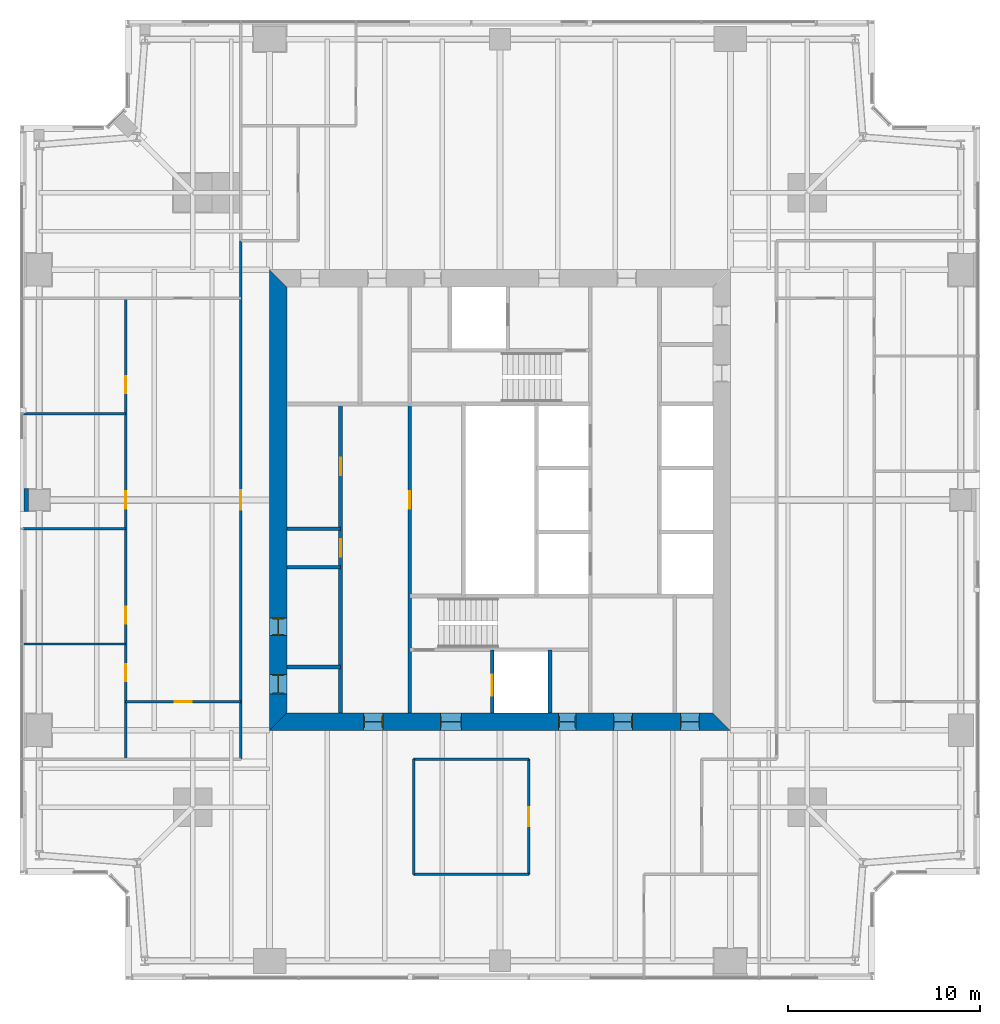
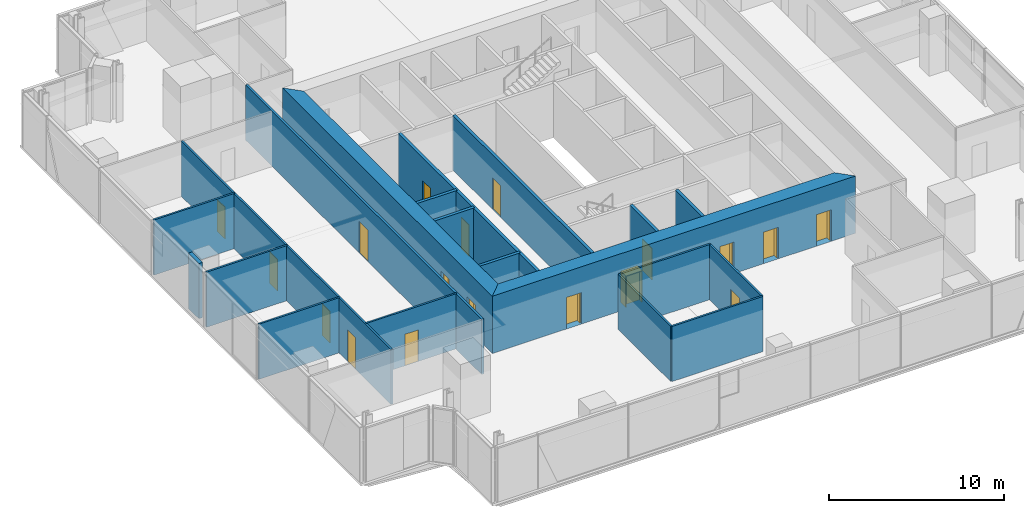
# One storey, part 9 of 16: 20 walls, 18 doors, 18 openings.
"""IFC4 building model written with IfcOpenShell, lengths in metres."""

from ifc_helpers import new_model, si_unit, direction, frame, frame_2d, origin, place, context, subcontext, project, spatial, polyline, rectangle, outline, extrude, material, layer, layer_set, type_object, element, fill, save


model = new_model("IFC4")

# Units and contexts
model_context = context("Model", 3, precision=1e-05, world=origin(), true_north=direction((0.0, 1.0)))
body_context = subcontext(model_context, "Body", "Model", "MODEL_VIEW")
ifc_project = project(units=[si_unit("LENGTHUNIT", "METRE"), si_unit("AREAUNIT", "SQUARE_METRE"), si_unit("VOLUMEUNIT", "CUBIC_METRE"), si_unit("PLANEANGLEUNIT", "RADIAN"), si_unit("MASSUNIT", "GRAM", prefix="KILO")], contexts=[model_context])

# Site, building, storey
site_placement = place(None, origin())
site = spatial("IfcSite", under=ifc_project, at=site_placement, CompositionType="ELEMENT")
building_placement = place(site_placement, origin())
building = spatial("IfcBuilding", under=site, at=building_placement, Name="Fenwick Lantern Interchange", CompositionType="ELEMENT")
storey_placement = place(building_placement, frame((0.0, 0.0, 213.800048828125)))
storey = spatial("IfcBuildingStorey", under=building, at=storey_placement, Name="L50", CompositionType="ELEMENT", Elevation=213.800048828125)

# Wall
ifc_material_1 = material(Name="Fire-rated gypsum board encasement on steel studs, 2 hour", Category="steel")
ifc_layer_1 = layer(ifc_material_1, 1.199951171875)
ifc_layer_set_1 = layer_set([ifc_layer_1], Name="COLUMN PIER 1200")
wall_type_1 = type_object("IfcWallType", Name="COLUMN PIER 1200", PredefinedType="PARTITIONING", material=ifc_layer_set_1)
wall_1_placement = place(storey_placement, frame((0.199951171875, 25.0, 0.0), z_axis=(0.0, 0.0, 1.0), x_axis=(1.0, 0.0, 0.0)))
element("IfcWall", 1, at=wall_1_placement, inside=storey, type_object=wall_type_1, Name="L50/W/PIER/CW3", PredefinedType="PARTITIONING", context=body_context, shape_type="SweptSolid", body=[
    extrude(rectangle(XDim=0.25, YDim=1.199951171875, at=frame_2d((0.125, 0.0))), origin(), (0.0, 0.0, 1.0), 3.849853515625),
])

# Wall, openings, doors
ifc_material_2 = material(Name="Concrete masonry ASTM C90 Grade N", Category="masonry")
ifc_layer_2 = layer(ifc_material_2, 0.199951171875)
ifc_layer_set_2 = layer_set([ifc_layer_2], Name="Concrete masonry ASTM C90 Grade N")
wall_type_2 = type_object("IfcWallType", Name="CORE PARTITION 200", PredefinedType="PARTITIONING", material=ifc_layer_set_2)
wall_2_placement = place(storey_placement, frame((16.699951171875, 13.89990234375, 0.0), z_axis=(0.0, 0.0, 1.0), x_axis=(0.0, 1.0, 0.0)))
wall_2 = element("IfcWall", 2, at=wall_2_placement, inside=storey, type_object=wall_type_2, Name="L50/W/CORES/a", PredefinedType="PARTITIONING", context=body_context, shape_type="SweptSolid", body=[
    extrude(rectangle(XDim=16.10009765625, YDim=0.199951171875, at=frame_2d((8.050048828125, 0.0))), origin(), (0.0, 0.0, 1.0), 3.800048828125),
])
opening_1_placement = place(wall_2_placement, frame((8.14990234375, 0.0, 0.0)))
opening_1 = element("IfcOpeningElement", 3, at=opening_1_placement, cuts=wall_2, Name="Opening L50-D009", PredefinedType="OPENING", context=body_context, shape_type="SweptSolid", body=[
    extrude(rectangle(XDim=0.89990234375, YDim=2.199951171875, at=frame_2d((0.449951171875, 1.10009765625))), frame((0.0, 0.10986328125, 0.0), z_axis=(0.0, -1.0, 0.0), x_axis=(1.0, 0.0, 0.0)), (0.0, 0.0, 1.0), 0.219970703125),
])
opening_2_placement = place(wall_2_placement, frame((12.39990234375, 0.0, 0.0)))
opening_2 = element("IfcOpeningElement", 4, at=opening_2_placement, cuts=wall_2, Name="Opening L50-D010", PredefinedType="OPENING", context=body_context, shape_type="SweptSolid", body=[
    extrude(rectangle(XDim=0.89990234375, YDim=2.199951171875, at=frame_2d((0.449951171875, 1.10009765625))), frame((0.0, 0.10986328125, 0.0), z_axis=(0.0, -1.0, 0.0), x_axis=(1.0, 0.0, 0.0)), (0.0, 0.0, 1.0), 0.219970703125),
])
ifc_material_3 = material(Name="Steel door and frame", Category="steel")
door_type_1 = type_object("IfcDoorType", Name="SERVICE DOOR 900 X 2200", OperationType="SINGLE_SWING_LEFT", PredefinedType="DOOR", material=ifc_material_3)
door_1_placement = place(opening_1_placement, origin())
door_1 = element("IfcDoor", 5, at=door_1_placement, inside=storey, type_object=door_type_1, Name="Service door", OperationType="SINGLE_SWING_LEFT", OverallHeight=2.199951171875, OverallWidth=0.89990234375, PredefinedType="DOOR", context=body_context, shape_type="SweptSolid", body=[
    extrude(rectangle(XDim=0.89990234375, YDim=2.199951171875, at=frame_2d((0.449951171875, 1.10009765625))), frame((0.0, 0.02490234375, 0.0), z_axis=(0.0, -1.0, 0.0), x_axis=(1.0, 0.0, 0.0)), (0.0, 0.0, 1.0), 0.050048828125),
])
fill(opening_1, door_1)
door_2_placement = place(opening_2_placement, origin())
door_2 = element("IfcDoor", 6, at=door_2_placement, inside=storey, type_object=door_type_1, Name="Service door", OperationType="SINGLE_SWING_LEFT", OverallHeight=2.199951171875, OverallWidth=0.89990234375, PredefinedType="DOOR", context=body_context, shape_type="SweptSolid", body=[
    extrude(rectangle(XDim=0.89990234375, YDim=2.199951171875, at=frame_2d((0.449951171875, 1.10009765625))), frame((0.0, 0.02490234375, 0.0), z_axis=(0.0, -1.0, 0.0), x_axis=(1.0, 0.0, 0.0)), (0.0, 0.0, 1.0), 0.050048828125),
])
fill(opening_2, door_2)

# Wall, opening, door
wall_3_placement = place(storey_placement, frame((24.60009765625, 13.89990234375, 0.0), z_axis=(0.0, 0.0, 1.0), x_axis=(0.0, 1.0, 0.0)))
wall_3 = element("IfcWall", 7, at=wall_3_placement, inside=storey, type_object=wall_type_2, Name="L50/W/CORES/h1", PredefinedType="PARTITIONING", context=body_context, shape_type="SweptSolid", body=[
    extrude(rectangle(XDim=3.300048828125, YDim=0.199951171875, at=frame_2d((1.64990234375, 0.0))), origin(), (0.0, 0.0, 1.0), 3.800048828125),
])
opening_3_placement = place(wall_3_placement, frame((0.89990234375, 0.0, 0.0)))
opening_3 = element("IfcOpeningElement", 8, at=opening_3_placement, cuts=wall_3, Name="Opening LD-FL1", PredefinedType="OPENING", context=body_context, shape_type="SweptSolid", body=[
    extrude(rectangle(XDim=1.10009765625, YDim=2.199951171875, at=frame_2d((0.550048828125, 1.10009765625))), frame((0.0, 0.10986328125, 0.0), z_axis=(0.0, -1.0, 0.0), x_axis=(1.0, 0.0, 0.0)), (0.0, 0.0, 1.0), 0.219970703125),
])
door_type_2 = type_object("IfcDoorType", Name="LIFT LANDING DOOR 1100 X 2200", OperationType="DOUBLE_DOOR_SLIDING", PredefinedType="DOOR", material=ifc_material_3)
door_3_placement = place(opening_3_placement, origin())
door_3 = element("IfcDoor", 9, at=door_3_placement, inside=storey, type_object=door_type_2, Name="Lift landing door FL1", OperationType="DOUBLE_DOOR_SLIDING", OverallHeight=2.199951171875, OverallWidth=1.10009765625, PredefinedType="DOOR", context=body_context, shape_type="SweptSolid", body=[
    extrude(rectangle(XDim=1.10009765625, YDim=2.199951171875, at=frame_2d((0.550048828125, 1.10009765625))), frame((0.0, 0.02490234375, 0.0), z_axis=(0.0, -1.0, 0.0), x_axis=(1.0, 0.0, 0.0)), (0.0, 0.0, 1.0), 0.050048828125),
])
fill(opening_3, door_3)

# Walls
wall_4_placement = place(storey_placement, frame((27.60009765625, 13.89990234375, 0.0), z_axis=(0.0, 0.0, 1.0), x_axis=(0.0, 1.0, 0.0)))
element("IfcWall", 10, at=wall_4_placement, inside=storey, type_object=wall_type_2, Name="L50/W/CORES/h2", PredefinedType="PARTITIONING", context=body_context, shape_type="SweptSolid", body=[
    extrude(rectangle(XDim=3.300048828125, YDim=0.199951171875, at=frame_2d((1.64990234375, 0.0))), origin(), (0.0, 0.0, 1.0), 3.800048828125),
])
for number, where, z_axis, x_axis, name in (
    (11, (13.89990234375, 16.300048828125, 0.0), (0.0, 0.0, 1.0), (1.0, 0.0, 0.0), "L50/W/CORES/p1"),
    (12, (13.89990234375, 21.5, 0.0), (0.0, 0.0, 1.0), (1.0, 0.0, 0.0), "L50/W/CORES/p2"),
    (13, (13.89990234375, 23.5, 0.0), (0.0, 0.0, 1.0), (1.0, 0.0, 0.0), "L50/W/CORES/p3"),
):
    element("IfcWall", number, at=place(storey_placement, frame(where, z_axis=z_axis, x_axis=x_axis)), inside=storey, type_object=wall_type_2, Name=name, PredefinedType="PARTITIONING", context=body_context, shape_type="SweptSolid", body=[
        extrude(rectangle(XDim=2.800048828125, YDim=0.199951171875, at=frame_2d((1.39990234375, 0.0))), origin(), (0.0, 0.0, 1.0), 3.800048828125),
    ])

# Wall, openings, doors
ifc_material_4 = material(Name="Concrete f'c 70 MPa", Category="concrete")
ifc_layer_3 = layer(ifc_material_4, 0.89990234375)
ifc_layer_set_3 = layer_set([ifc_layer_3], Name="CORE WALL 900")
wall_type_3 = type_object("IfcWallType", Name="CORE WALL 900", PredefinedType="SHEAR", material=ifc_layer_set_3)
wall_5_placement = place(storey_placement, frame((13.0, 13.449951171875, 0.0), z_axis=(0.0, 0.0, 1.0), x_axis=(1.0, 0.0, 0.0)))
wall_5 = element("IfcWall", 14, at=wall_5_placement, inside=storey, type_object=wall_type_3, Name="L50/CORE/S", PredefinedType="SHEAR", context=body_context, shape_type="SweptSolid", body=[
    extrude(outline(polyline([(0.0, -0.449951171875), (24.0, -0.449951171875), (23.10009765625, 0.449951171875), (0.89990234375, 0.449951171875), (0.0, -0.449951171875)])), origin(), (0.0, 0.0, 1.0), 4.0),
])
opening_4_placement = place(wall_5_placement, frame((4.89990234375, 0.0, 0.0)))
opening_4 = element("IfcOpeningElement", 15, at=opening_4_placement, cuts=wall_5, Name="Opening L50-D001", PredefinedType="OPENING", context=body_context, shape_type="SweptSolid", body=[
    extrude(rectangle(XDim=1.0, YDim=2.199951171875, at=frame_2d((0.5, 1.10009765625))), frame((0.0, 0.4599609375, 0.0), z_axis=(0.0, -1.0, 0.0), x_axis=(1.0, 0.0, 0.0)), (0.0, 0.0, 1.0), 0.919921875),
])
opening_5_placement = place(wall_5_placement, frame((8.89990234375, 0.0, 0.0)))
opening_5 = element("IfcOpeningElement", 16, at=opening_5_placement, cuts=wall_5, Name="Opening L50-D002", PredefinedType="OPENING", context=body_context, shape_type="SweptSolid", body=[
    extrude(rectangle(XDim=1.10009765625, YDim=2.199951171875, at=frame_2d((0.550048828125, 1.10009765625))), frame((0.0, 0.4599609375, 0.0), z_axis=(0.0, -1.0, 0.0), x_axis=(1.0, 0.0, 0.0)), (0.0, 0.0, 1.0), 0.919921875),
])
opening_6_placement = place(wall_5_placement, frame((15.050048828125, 0.0, 0.0)))
opening_6 = element("IfcOpeningElement", 17, at=opening_6_placement, cuts=wall_5, Name="Opening L50-D004", PredefinedType="OPENING", context=body_context, shape_type="SweptSolid", body=[
    extrude(rectangle(XDim=0.89990234375, YDim=2.199951171875, at=frame_2d((0.449951171875, 1.10009765625))), frame((0.0, 0.4599609375, 0.0), z_axis=(0.0, -1.0, 0.0), x_axis=(1.0, 0.0, 0.0)), (0.0, 0.0, 1.0), 0.919921875),
])
opening_7_placement = place(wall_5_placement, frame((17.89990234375, 0.0, 0.0)))
opening_7 = element("IfcOpeningElement", 18, at=opening_7_placement, cuts=wall_5, Name="Opening L50-D005", PredefinedType="OPENING", context=body_context, shape_type="SweptSolid", body=[
    extrude(rectangle(XDim=1.0, YDim=2.199951171875, at=frame_2d((0.5, 1.10009765625))), frame((0.0, 0.4599609375, 0.0), z_axis=(0.0, -1.0, 0.0), x_axis=(1.0, 0.0, 0.0)), (0.0, 0.0, 1.0), 0.919921875),
])
opening_8_placement = place(wall_5_placement, frame((21.39990234375, 0.0, 0.0)))
opening_8 = element("IfcOpeningElement", 19, at=opening_8_placement, cuts=wall_5, Name="Opening L50-D006", PredefinedType="OPENING", context=body_context, shape_type="SweptSolid", body=[
    extrude(rectangle(XDim=1.0, YDim=2.199951171875, at=frame_2d((0.5, 1.10009765625))), frame((0.0, 0.4599609375, 0.0), z_axis=(0.0, -1.0, 0.0), x_axis=(1.0, 0.0, 0.0)), (0.0, 0.0, 1.0), 0.919921875),
])
door_type_3 = type_object("IfcDoorType", Name="CORE LOBBY DOOR 1000 X 2200", OperationType="SINGLE_SWING_LEFT", PredefinedType="DOOR", material=ifc_material_3)
door_4_placement = place(opening_4_placement, origin())
door_4 = element("IfcDoor", 20, at=door_4_placement, inside=storey, type_object=door_type_3, Name="Core lobby door", OperationType="SINGLE_SWING_LEFT", OverallHeight=2.199951171875, OverallWidth=1.0, PredefinedType="DOOR", context=body_context, shape_type="SweptSolid", body=[
    extrude(rectangle(XDim=1.0, YDim=2.199951171875, at=frame_2d((0.5, 1.10009765625))), frame((0.0, 0.02490234375, 0.0), z_axis=(0.0, -1.0, 0.0), x_axis=(1.0, 0.0, 0.0)), (0.0, 0.0, 1.0), 0.050048828125),
    extrude(outline(polyline([(0.0, 0.0), (0.0400390625, 0.0), (0.0400390625, 2.159912109375), (0.9599609375, 2.159912109375), (0.9599609375, 0.0), (1.0, 0.0), (1.0, 2.199951171875), (0.0, 2.199951171875), (0.0, 0.0)])), frame((0.0, 0.300048828125, 0.0), z_axis=(0.0, -1.0, 0.0), x_axis=(1.0, 0.0, 0.0)), (0.0, 0.0, 1.0), 0.60009765625),
])
fill(opening_4, door_4)
door_type_4 = type_object("IfcDoorType", Name="FIRE LOBBY DOOR 1100 X 2200", OperationType="SINGLE_SWING_LEFT", PredefinedType="DOOR", material=ifc_material_3)
door_5_placement = place(opening_5_placement, origin())
door_5 = element("IfcDoor", 21, at=door_5_placement, inside=storey, type_object=door_type_4, Name="Fire lobby door", OperationType="SINGLE_SWING_LEFT", OverallHeight=2.199951171875, OverallWidth=1.10009765625, PredefinedType="DOOR", context=body_context, shape_type="SweptSolid", body=[
    extrude(rectangle(XDim=1.10009765625, YDim=2.199951171875, at=frame_2d((0.550048828125, 1.10009765625))), frame((0.0, 0.02490234375, 0.0), z_axis=(0.0, -1.0, 0.0), x_axis=(1.0, 0.0, 0.0)), (0.0, 0.0, 1.0), 0.050048828125),
    extrude(outline(polyline([(0.0, 0.0), (0.0400390625, 0.0), (0.0400390625, 2.159912109375), (1.06005859375, 2.159912109375), (1.06005859375, 0.0), (1.10009765625, 0.0), (1.10009765625, 2.199951171875), (0.0, 2.199951171875), (0.0, 0.0)])), frame((0.0, 0.300048828125, 0.0), z_axis=(0.0, -1.0, 0.0), x_axis=(1.0, 0.0, 0.0)), (0.0, 0.0, 1.0), 0.60009765625),
])
fill(opening_5, door_5)
door_6_placement = place(opening_6_placement, origin())
door_6 = element("IfcDoor", 22, at=door_6_placement, inside=storey, type_object=door_type_1, Name="Service door", OperationType="SINGLE_SWING_LEFT", OverallHeight=2.199951171875, OverallWidth=0.89990234375, PredefinedType="DOOR", context=body_context, shape_type="SweptSolid", body=[
    extrude(rectangle(XDim=0.89990234375, YDim=2.199951171875, at=frame_2d((0.449951171875, 1.10009765625))), frame((0.0, 0.02490234375, 0.0), z_axis=(0.0, -1.0, 0.0), x_axis=(1.0, 0.0, 0.0)), (0.0, 0.0, 1.0), 0.050048828125),
    extrude(outline(polyline([(0.0, 0.0), (0.0400390625, 0.0), (0.0400390625, 2.159912109375), (0.85986328125, 2.159912109375), (0.85986328125, 0.0), (0.89990234375, 0.0), (0.89990234375, 2.199951171875), (0.0, 2.199951171875), (0.0, 0.0)])), frame((0.0, 0.300048828125, 0.0), z_axis=(0.0, -1.0, 0.0), x_axis=(1.0, 0.0, 0.0)), (0.0, 0.0, 1.0), 0.60009765625),
])
fill(opening_6, door_6)
ifc_material_5 = material(Name="Hardwood door and steel frame", Category="steel")
door_type_5 = type_object("IfcDoorType", Name="WC DOOR 1000 X 2200", OperationType="SINGLE_SWING_LEFT", PredefinedType="DOOR", material=ifc_material_5)
door_7_placement = place(opening_7_placement, origin())
door_7 = element("IfcDoor", 23, at=door_7_placement, inside=storey, type_object=door_type_5, Name="Wc door", OperationType="SINGLE_SWING_LEFT", OverallHeight=2.199951171875, OverallWidth=1.0, PredefinedType="DOOR", context=body_context, shape_type="SweptSolid", body=[
    extrude(rectangle(XDim=1.0, YDim=2.199951171875, at=frame_2d((0.5, 1.10009765625))), frame((0.0, 0.02490234375, 0.0), z_axis=(0.0, -1.0, 0.0), x_axis=(1.0, 0.0, 0.0)), (0.0, 0.0, 1.0), 0.050048828125),
    extrude(outline(polyline([(0.0, 0.0), (0.0400390625, 0.0), (0.0400390625, 2.159912109375), (0.9599609375, 2.159912109375), (0.9599609375, 0.0), (1.0, 0.0), (1.0, 2.199951171875), (0.0, 2.199951171875), (0.0, 0.0)])), frame((0.0, 0.300048828125, 0.0), z_axis=(0.0, -1.0, 0.0), x_axis=(1.0, 0.0, 0.0)), (0.0, 0.0, 1.0), 0.60009765625),
])
fill(opening_7, door_7)
door_8_placement = place(opening_8_placement, origin())
door_8 = element("IfcDoor", 24, at=door_8_placement, inside=storey, type_object=door_type_5, Name="Wc door", OperationType="SINGLE_SWING_LEFT", OverallHeight=2.199951171875, OverallWidth=1.0, PredefinedType="DOOR", context=body_context, shape_type="SweptSolid", body=[
    extrude(rectangle(XDim=1.0, YDim=2.199951171875, at=frame_2d((0.5, 1.10009765625))), frame((0.0, 0.02490234375, 0.0), z_axis=(0.0, -1.0, 0.0), x_axis=(1.0, 0.0, 0.0)), (0.0, 0.0, 1.0), 0.050048828125),
    extrude(outline(polyline([(0.0, 0.0), (0.0400390625, 0.0), (0.0400390625, 2.159912109375), (0.9599609375, 2.159912109375), (0.9599609375, 0.0), (1.0, 0.0), (1.0, 2.199951171875), (0.0, 2.199951171875), (0.0, 0.0)])), frame((0.0, 0.300048828125, 0.0), z_axis=(0.0, -1.0, 0.0), x_axis=(1.0, 0.0, 0.0)), (0.0, 0.0, 1.0), 0.60009765625),
])
fill(opening_8, door_8)

wall_6_placement = place(storey_placement, frame((13.449951171875, 36.10009765625, 0.0), z_axis=(0.0, 0.0, 1.0), x_axis=(0.0, -1.0, 0.0)))
wall_6 = element("IfcWall", 25, at=wall_6_placement, inside=storey, type_object=wall_type_3, Name="L50/CORE/W", PredefinedType="SHEAR", context=body_context, shape_type="SweptSolid", body=[
    extrude(outline(polyline([(-0.89990234375, -0.449951171875), (23.10009765625, -0.449951171875), (22.199951171875, 0.449951171875), (0.0, 0.449951171875), (-0.89990234375, -0.449951171875)])), origin(), (0.0, 0.0, 1.0), 4.0),
])
opening_9_placement = place(wall_6_placement, frame((20.199951171875, 0.0, 0.0)))
opening_9 = element("IfcOpeningElement", 26, at=opening_9_placement, cuts=wall_6, Name="Opening L50-D007", PredefinedType="OPENING", context=body_context, shape_type="SweptSolid", body=[
    extrude(rectangle(XDim=1.0, YDim=2.199951171875, at=frame_2d((0.5, 1.10009765625))), frame((0.0, 0.4599609375, 0.0), z_axis=(0.0, -1.0, 0.0), x_axis=(1.0, 0.0, 0.0)), (0.0, 0.0, 1.0), 0.919921875),
])
opening_10_placement = place(wall_6_placement, frame((17.25, 0.0, 0.0)))
opening_10 = element("IfcOpeningElement", 27, at=opening_10_placement, cuts=wall_6, Name="Opening L50-D008", PredefinedType="OPENING", context=body_context, shape_type="SweptSolid", body=[
    extrude(rectangle(XDim=0.89990234375, YDim=2.199951171875, at=frame_2d((0.449951171875, 1.10009765625))), frame((0.0, 0.4599609375, 0.0), z_axis=(0.0, -1.0, 0.0), x_axis=(1.0, 0.0, 0.0)), (0.0, 0.0, 1.0), 0.919921875),
])
door_9_placement = place(opening_10_placement, origin())
door_9 = element("IfcDoor", 28, at=door_9_placement, inside=storey, type_object=door_type_1, Name="Service door", OperationType="SINGLE_SWING_RIGHT", OverallHeight=2.199951171875, OverallWidth=0.89990234375, PredefinedType="DOOR", context=body_context, shape_type="SweptSolid", body=[
    extrude(rectangle(XDim=0.89990234375, YDim=2.199951171875, at=frame_2d((0.449951171875, 1.10009765625))), frame((0.0, 0.02490234375, 0.0), z_axis=(0.0, -1.0, 0.0), x_axis=(1.0, 0.0, 0.0)), (0.0, 0.0, 1.0), 0.050048828125),
    extrude(outline(polyline([(0.0, 0.0), (0.0400390625, 0.0), (0.0400390625, 2.159912109375), (0.85986328125, 2.159912109375), (0.85986328125, 0.0), (0.89990234375, 0.0), (0.89990234375, 2.199951171875), (0.0, 2.199951171875), (0.0, 0.0)])), frame((0.0, 0.300048828125, 0.0), z_axis=(0.0, -1.0, 0.0), x_axis=(1.0, 0.0, 0.0)), (0.0, 0.0, 1.0), 0.60009765625),
])
fill(opening_10, door_9)
door_10_placement = place(opening_9_placement, origin())
door_10 = element("IfcDoor", 29, at=door_10_placement, inside=storey, type_object=door_type_5, Name="Wc door", OperationType="SINGLE_SWING_LEFT", OverallHeight=2.199951171875, OverallWidth=1.0, PredefinedType="DOOR", context=body_context, shape_type="SweptSolid", body=[
    extrude(rectangle(XDim=1.0, YDim=2.199951171875, at=frame_2d((0.5, 1.10009765625))), frame((0.0, 0.02490234375, 0.0), z_axis=(0.0, -1.0, 0.0), x_axis=(1.0, 0.0, 0.0)), (0.0, 0.0, 1.0), 0.050048828125),
    extrude(outline(polyline([(0.0, 0.0), (0.0400390625, 0.0), (0.0400390625, 2.159912109375), (0.9599609375, 2.159912109375), (0.9599609375, 0.0), (1.0, 0.0), (1.0, 2.199951171875), (0.0, 2.199951171875), (0.0, 0.0)])), frame((0.0, 0.300048828125, 0.0), z_axis=(0.0, -1.0, 0.0), x_axis=(1.0, 0.0, 0.0)), (0.0, 0.0, 1.0), 0.60009765625),
])
fill(opening_9, door_10)

# Wall, opening, door
ifc_material_6 = material(Name="Gypsum board on steel studs, 1 hour", Category="steel")
ifc_layer_4 = layer(ifc_material_6, 0.14990234375)
ifc_layer_set_4 = layer_set([ifc_layer_4], Name="CORRIDOR WALL 150")
wall_type_4 = type_object("IfcWallType", Name="CORRIDOR WALL 150", PredefinedType="PARTITIONING", material=ifc_layer_set_4)
wall_7_placement = place(storey_placement, frame((11.5, 38.5, 0.0), z_axis=(0.0, 0.0, 1.0), x_axis=(0.0, -1.0, 0.0)))
wall_7 = element("IfcWall", 30, at=wall_7_placement, inside=storey, type_object=wall_type_4, Name="L50/W/OFF/W/CW", PredefinedType="PARTITIONING", context=body_context, shape_type="SweptSolid", body=[
    extrude(rectangle(XDim=27.0, YDim=0.14990234375, at=frame_2d((13.5, 0.0))), origin(), (0.0, 0.0, 1.0), 3.849853515625),
])
opening_11_placement = place(wall_7_placement, frame((13.0, 0.0, 0.0)))
opening_11 = element("IfcOpeningElement", 31, at=opening_11_placement, cuts=wall_7, Name="Opening L50-D031", PredefinedType="OPENING", context=body_context, shape_type="SweptSolid", body=[
    extrude(rectangle(XDim=1.0, YDim=2.199951171875, at=frame_2d((0.5, 1.10009765625))), frame((0.0, 0.0849609375, 0.0), z_axis=(0.0, -1.0, 0.0), x_axis=(1.0, 0.0, 0.0)), (0.0, 0.0, 1.0), 0.169921875),
])
door_type_6 = type_object("IfcDoorType", Name="SUITE ENTRANCE DOOR 1000 X 2200", OperationType="SINGLE_SWING_LEFT", PredefinedType="DOOR", material=ifc_material_3)
door_11_placement = place(opening_11_placement, frame((1.0, 0.0, 0.0), z_axis=(0.0, 0.0, 1.0), x_axis=(-1.0, 0.0, 0.0)))
door_11 = element("IfcDoor", 32, at=door_11_placement, inside=storey, type_object=door_type_6, Name="Suite entrance door", OperationType="SINGLE_SWING_RIGHT", OverallHeight=2.199951171875, OverallWidth=1.0, PredefinedType="DOOR", context=body_context, shape_type="SweptSolid", body=[
    extrude(rectangle(XDim=1.0, YDim=2.199951171875, at=frame_2d((0.5, 1.10009765625))), frame((0.0, 0.02490234375, 0.0), z_axis=(0.0, -1.0, 0.0), x_axis=(1.0, 0.0, 0.0)), (0.0, 0.0, 1.0), 0.050048828125),
])
fill(opening_11, door_11)

# Wall
ifc_material_7 = material(Name="Gypsum board on steel studs, acoustic", Category="steel")
ifc_layer_5 = layer(ifc_material_7, 0.125)
ifc_layer_set_5 = layer_set([ifc_layer_5], Name="OFFICE PARTITION 125")
wall_type_5 = type_object("IfcWallType", Name="OFFICE PARTITION 125", PredefinedType="PARTITIONING", material=ifc_layer_set_5)
wall_8_placement = place(storey_placement, frame((20.5, 5.5, 0.0), z_axis=(0.0, 0.0, 1.0), x_axis=(0.0, 1.0, 0.0)))
element("IfcWall", 33, at=wall_8_placement, inside=storey, type_object=wall_type_5, Name="L50/W/OFF/S/X205-1", PredefinedType="PARTITIONING", context=body_context, shape_type="SweptSolid", body=[
    extrude(rectangle(XDim=6.0, YDim=0.125, at=frame_2d((3.0, 0.0))), origin(), (0.0, 0.0, 1.0), 3.849853515625),
])

# Wall, opening, door
wall_9_placement = place(storey_placement, frame((26.5, 5.5, 0.0), z_axis=(0.0, 0.0, 1.0), x_axis=(0.0, 1.0, 0.0)))
wall_9 = element("IfcWall", 34, at=wall_9_placement, inside=storey, type_object=wall_type_5, Name="L50/W/OFF/S/X265-1", PredefinedType="PARTITIONING", context=body_context, shape_type="SweptSolid", body=[
    extrude(rectangle(XDim=6.0, YDim=0.125, at=frame_2d((3.0, 0.0))), origin(), (0.0, 0.0, 1.0), 3.849853515625),
])
opening_12_placement = place(wall_9_placement, frame((2.5, 0.0, 0.0)))
opening_12 = element("IfcOpeningElement", 35, at=opening_12_placement, cuts=wall_9, Name="Opening L50-D020", PredefinedType="OPENING", context=body_context, shape_type="SweptSolid", body=[
    extrude(rectangle(XDim=1.0, YDim=2.199951171875, at=frame_2d((0.5, 1.10009765625))), frame((0.0, 0.072509765625, 0.0), z_axis=(0.0, -1.0, 0.0), x_axis=(1.0, 0.0, 0.0)), (0.0, 0.0, 1.0), 0.14501953125),
])
door_type_7 = type_object("IfcDoorType", Name="MEETING ROOM DOOR 1000 X 2200", OperationType="SINGLE_SWING_LEFT", PredefinedType="DOOR", material=ifc_material_5)
door_12_placement = place(opening_12_placement, origin())
door_12 = element("IfcDoor", 36, at=door_12_placement, inside=storey, type_object=door_type_7, Name="Meeting room door", OperationType="SINGLE_SWING_LEFT", OverallHeight=2.199951171875, OverallWidth=1.0, PredefinedType="DOOR", context=body_context, shape_type="SweptSolid", body=[
    extrude(rectangle(XDim=1.0, YDim=2.199951171875, at=frame_2d((0.5, 1.10009765625))), frame((0.0, 0.02490234375, 0.0), z_axis=(0.0, -1.0, 0.0), x_axis=(1.0, 0.0, 0.0)), (0.0, 0.0, 1.0), 0.050048828125),
])
fill(opening_12, door_12)

# Walls
for number, where, z_axis, x_axis, name in (
    (37, (20.5, 5.5, 0.0), (0.0, 0.0, 1.0), (1.0, 0.0, 0.0), "L50/W/OFF/S/Y55-1"),
    (38, (20.5, 11.5, 0.0), (0.0, 0.0, 1.0), (1.0, 0.0, 0.0), "L50/W/OFF/S/CWS1"),
):
    element("IfcWall", number, at=place(storey_placement, frame(where, z_axis=z_axis, x_axis=x_axis)), inside=storey, type_object=wall_type_5, Name=name, PredefinedType="PARTITIONING", context=body_context, shape_type="SweptSolid", body=[
        extrude(rectangle(XDim=6.0, YDim=0.125, at=frame_2d((3.0, 0.0))), origin(), (0.0, 0.0, 1.0), 3.849853515625),
    ])
for number, where, z_axis, x_axis, name in (
    (39, (0.14990234375, 29.5, 0.0), (0.0, 0.0, 1.0), (1.0, 0.0, 0.0), "L50/W/OFF/W/X205-1"),
    (40, (0.14990234375, 23.5, 0.0), (0.0, 0.0, 1.0), (1.0, 0.0, 0.0), "L50/W/OFF/W/X265-1"),
    (41, (0.14990234375, 17.5, 0.0), (0.0, 0.0, 1.0), (1.0, 0.0, 0.0), "L50/W/OFF/W/X325-1"),
):
    element("IfcWall", number, at=place(storey_placement, frame(where, z_axis=z_axis, x_axis=x_axis)), inside=storey, type_object=wall_type_5, Name=name, PredefinedType="PARTITIONING", context=body_context, shape_type="SweptSolid", body=[
        extrude(rectangle(XDim=5.35009765625, YDim=0.125, at=frame_2d((2.675048828125, 0.0))), origin(), (0.0, 0.0, 1.0), 3.849853515625),
    ])

# Wall, opening, door
wall_10_placement = place(storey_placement, frame((5.5, 14.5, 0.0), z_axis=(0.0, 0.0, 1.0), x_axis=(1.0, 0.0, 0.0)))
wall_10 = element("IfcWall", 42, at=wall_10_placement, inside=storey, type_object=wall_type_5, Name="L50/W/OFF/W/X355-1", PredefinedType="PARTITIONING", context=body_context, shape_type="SweptSolid", body=[
    extrude(rectangle(XDim=6.0, YDim=0.125, at=frame_2d((3.0, 0.0))), origin(), (0.0, 0.0, 1.0), 3.849853515625),
])
opening_13_placement = place(wall_10_placement, frame((2.550048828125, 0.0, 0.0)))
opening_13 = element("IfcOpeningElement", 43, at=opening_13_placement, cuts=wall_10, Name="Opening L50-D037", PredefinedType="OPENING", context=body_context, shape_type="SweptSolid", body=[
    extrude(rectangle(XDim=0.89990234375, YDim=2.199951171875, at=frame_2d((0.449951171875, 1.10009765625))), frame((0.0, 0.072509765625, 0.0), z_axis=(0.0, -1.0, 0.0), x_axis=(1.0, 0.0, 0.0)), (0.0, 0.0, 1.0), 0.14501953125),
])
door_type_8 = type_object("IfcDoorType", Name="OFFICE DOOR 900 X 2200", OperationType="SINGLE_SWING_LEFT", PredefinedType="DOOR", material=ifc_material_5)
door_13_placement = place(opening_13_placement, frame((0.89990234375, 0.0, 0.0), z_axis=(0.0, 0.0, 1.0), x_axis=(-1.0, 0.0, 0.0)))
door_13 = element("IfcDoor", 44, at=door_13_placement, inside=storey, type_object=door_type_8, Name="Office door", OperationType="SINGLE_SWING_RIGHT", OverallHeight=2.199951171875, OverallWidth=0.89990234375, PredefinedType="DOOR", context=body_context, shape_type="SweptSolid", body=[
    extrude(rectangle(XDim=0.89990234375, YDim=2.199951171875, at=frame_2d((0.449951171875, 1.10009765625))), frame((0.0, 0.02490234375, 0.0), z_axis=(0.0, -1.0, 0.0), x_axis=(1.0, 0.0, 0.0)), (0.0, 0.0, 1.0), 0.050048828125),
])
fill(opening_13, door_13)

# Wall, openings, doors
wall_11_placement = place(storey_placement, frame((5.5, 35.5, 0.0), z_axis=(0.0, 0.0, 1.0), x_axis=(0.0, -1.0, 0.0)))
wall_11 = element("IfcWall", 45, at=wall_11_placement, inside=storey, type_object=wall_type_5, Name="L50/W/OFF/W/Y55-1", PredefinedType="PARTITIONING", context=body_context, shape_type="SweptSolid", body=[
    extrude(rectangle(XDim=24.0, YDim=0.125, at=frame_2d((12.0, 0.0))), origin(), (0.0, 0.0, 1.0), 3.849853515625),
])
opening_14_placement = place(wall_11_placement, frame((4.050048828125, 0.0, 0.0)))
opening_14 = element("IfcOpeningElement", 46, at=opening_14_placement, cuts=wall_11, Name="Opening L50-D033", PredefinedType="OPENING", context=body_context, shape_type="SweptSolid", body=[
    extrude(rectangle(XDim=0.89990234375, YDim=2.199951171875, at=frame_2d((0.449951171875, 1.10009765625))), frame((0.0, 0.072509765625, 0.0), z_axis=(0.0, -1.0, 0.0), x_axis=(1.0, 0.0, 0.0)), (0.0, 0.0, 1.0), 0.14501953125),
])
opening_15_placement = place(wall_11_placement, frame((10.050048828125, 0.0, 0.0)))
opening_15 = element("IfcOpeningElement", 47, at=opening_15_placement, cuts=wall_11, Name="Opening L50-D034", PredefinedType="OPENING", context=body_context, shape_type="SweptSolid", body=[
    extrude(rectangle(XDim=0.89990234375, YDim=2.199951171875, at=frame_2d((0.449951171875, 1.10009765625))), frame((0.0, 0.072509765625, 0.0), z_axis=(0.0, -1.0, 0.0), x_axis=(1.0, 0.0, 0.0)), (0.0, 0.0, 1.0), 0.14501953125),
])
opening_16_placement = place(wall_11_placement, frame((16.050048828125, 0.0, 0.0)))
opening_16 = element("IfcOpeningElement", 48, at=opening_16_placement, cuts=wall_11, Name="Opening L50-D035", PredefinedType="OPENING", context=body_context, shape_type="SweptSolid", body=[
    extrude(rectangle(XDim=0.89990234375, YDim=2.199951171875, at=frame_2d((0.449951171875, 1.10009765625))), frame((0.0, 0.072509765625, 0.0), z_axis=(0.0, -1.0, 0.0), x_axis=(1.0, 0.0, 0.0)), (0.0, 0.0, 1.0), 0.14501953125),
])
opening_17_placement = place(wall_11_placement, frame((19.050048828125, 0.0, 0.0)))
opening_17 = element("IfcOpeningElement", 49, at=opening_17_placement, cuts=wall_11, Name="Opening L50-D036", PredefinedType="OPENING", context=body_context, shape_type="SweptSolid", body=[
    extrude(rectangle(XDim=0.89990234375, YDim=2.199951171875, at=frame_2d((0.449951171875, 1.10009765625))), frame((0.0, 0.072509765625, 0.0), z_axis=(0.0, -1.0, 0.0), x_axis=(1.0, 0.0, 0.0)), (0.0, 0.0, 1.0), 0.14501953125),
])
door_14_placement = place(opening_14_placement, frame((0.89990234375, 0.0, 0.0), z_axis=(0.0, 0.0, 1.0), x_axis=(-1.0, 0.0, 0.0)))
door_14 = element("IfcDoor", 50, at=door_14_placement, inside=storey, type_object=door_type_8, Name="Office door", OperationType="SINGLE_SWING_LEFT", OverallHeight=2.199951171875, OverallWidth=0.89990234375, PredefinedType="DOOR", context=body_context, shape_type="SweptSolid", body=[
    extrude(rectangle(XDim=0.89990234375, YDim=2.199951171875, at=frame_2d((0.449951171875, 1.10009765625))), frame((0.0, 0.02490234375, 0.0), z_axis=(0.0, -1.0, 0.0), x_axis=(1.0, 0.0, 0.0)), (0.0, 0.0, 1.0), 0.050048828125),
])
fill(opening_14, door_14)
door_15_placement = place(opening_15_placement, frame((0.89990234375, 0.0, 0.0), z_axis=(0.0, 0.0, 1.0), x_axis=(-1.0, 0.0, 0.0)))
door_15 = element("IfcDoor", 51, at=door_15_placement, inside=storey, type_object=door_type_8, Name="Office door", OperationType="SINGLE_SWING_LEFT", OverallHeight=2.199951171875, OverallWidth=0.89990234375, PredefinedType="DOOR", context=body_context, shape_type="SweptSolid", body=[
    extrude(rectangle(XDim=0.89990234375, YDim=2.199951171875, at=frame_2d((0.449951171875, 1.10009765625))), frame((0.0, 0.02490234375, 0.0), z_axis=(0.0, -1.0, 0.0), x_axis=(1.0, 0.0, 0.0)), (0.0, 0.0, 1.0), 0.050048828125),
])
fill(opening_15, door_15)
door_16_placement = place(opening_16_placement, frame((0.89990234375, 0.0, 0.0), z_axis=(0.0, 0.0, 1.0), x_axis=(-1.0, 0.0, 0.0)))
door_16 = element("IfcDoor", 52, at=door_16_placement, inside=storey, type_object=door_type_8, Name="Office door", OperationType="SINGLE_SWING_LEFT", OverallHeight=2.199951171875, OverallWidth=0.89990234375, PredefinedType="DOOR", context=body_context, shape_type="SweptSolid", body=[
    extrude(rectangle(XDim=0.89990234375, YDim=2.199951171875, at=frame_2d((0.449951171875, 1.10009765625))), frame((0.0, 0.02490234375, 0.0), z_axis=(0.0, -1.0, 0.0), x_axis=(1.0, 0.0, 0.0)), (0.0, 0.0, 1.0), 0.050048828125),
])
fill(opening_16, door_16)
door_17_placement = place(opening_17_placement, frame((0.89990234375, 0.0, 0.0), z_axis=(0.0, 0.0, 1.0), x_axis=(-1.0, 0.0, 0.0)))
door_17 = element("IfcDoor", 53, at=door_17_placement, inside=storey, type_object=door_type_8, Name="Office door", OperationType="SINGLE_SWING_RIGHT", OverallHeight=2.199951171875, OverallWidth=0.89990234375, PredefinedType="DOOR", context=body_context, shape_type="SweptSolid", body=[
    extrude(rectangle(XDim=0.89990234375, YDim=2.199951171875, at=frame_2d((0.449951171875, 1.10009765625))), frame((0.0, 0.02490234375, 0.0), z_axis=(0.0, -1.0, 0.0), x_axis=(1.0, 0.0, 0.0)), (0.0, 0.0, 1.0), 0.050048828125),
])
fill(opening_17, door_17)

# Wall, opening, door
ifc_material_8 = material(Name="Concrete f'c 45 MPa", Category="concrete")
ifc_layer_6 = layer(ifc_material_8, 0.199951171875)
ifc_layer_set_6 = layer_set([ifc_layer_6], Name="STAIR CORE WALL 200")
wall_type_6 = type_object("IfcWallType", Name="STAIR CORE WALL 200", PredefinedType="SOLIDWALL", material=ifc_layer_set_6)
wall_12_placement = place(storey_placement, frame((20.300048828125, 13.89990234375, 0.0), z_axis=(0.0, 0.0, 1.0), x_axis=(0.0, 1.0, 0.0)))
wall_12 = element("IfcWall", 54, at=wall_12_placement, inside=storey, type_object=wall_type_6, Name="L50/W/CORES/b", PredefinedType="SOLIDWALL", context=body_context, shape_type="SweptSolid", body=[
    extrude(rectangle(XDim=16.10009765625, YDim=0.199951171875, at=frame_2d((8.050048828125, 0.0))), origin(), (0.0, 0.0, 1.0), 3.800048828125),
])
opening_18_placement = place(wall_12_placement, frame((10.64990234375, 0.0, 0.0)))
opening_18 = element("IfcOpeningElement", 55, at=opening_18_placement, cuts=wall_12, Name="Opening L50-D011", PredefinedType="OPENING", context=body_context, shape_type="SweptSolid", body=[
    extrude(rectangle(XDim=0.89990234375, YDim=2.199951171875, at=frame_2d((0.449951171875, 1.10009765625))), frame((0.0, 0.10986328125, 0.0), z_axis=(0.0, -1.0, 0.0), x_axis=(1.0, 0.0, 0.0)), (0.0, 0.0, 1.0), 0.219970703125),
])
door_18_placement = place(opening_18_placement, frame((0.89990234375, 0.0, 0.0), z_axis=(0.0, 0.0, 1.0), x_axis=(-1.0, 0.0, 0.0)))
door_18 = element("IfcDoor", 56, at=door_18_placement, inside=storey, type_object=door_type_1, Name="Service door", OperationType="SINGLE_SWING_RIGHT", OverallHeight=2.199951171875, OverallWidth=0.89990234375, PredefinedType="DOOR", context=body_context, shape_type="SweptSolid", body=[
    extrude(rectangle(XDim=0.89990234375, YDim=2.199951171875, at=frame_2d((0.449951171875, 1.10009765625))), frame((0.0, 0.02490234375, 0.0), z_axis=(0.0, -1.0, 0.0), x_axis=(1.0, 0.0, 0.0)), (0.0, 0.0, 1.0), 0.050048828125),
])
fill(opening_18, door_18)

save(model, "model.ifc")
